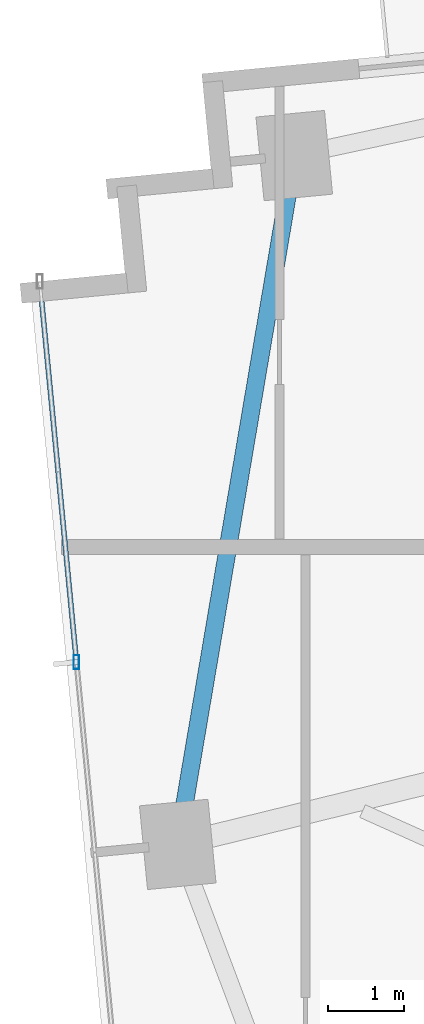
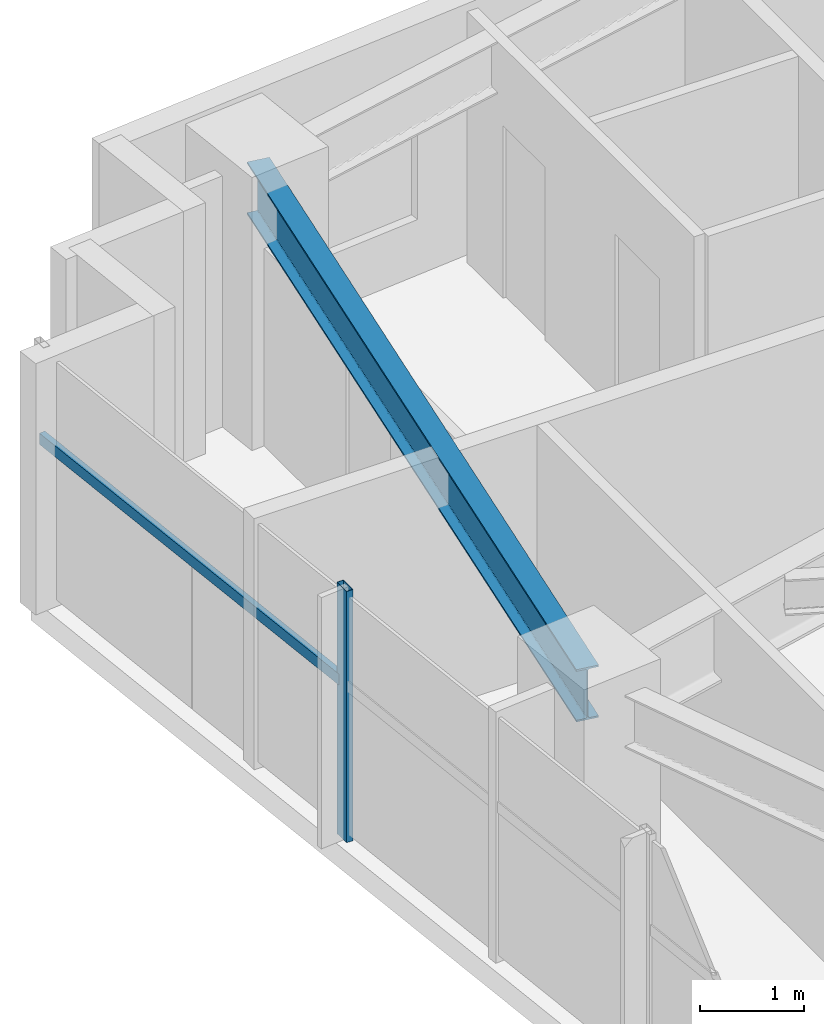
# One storey, part 4 of 27: 2 members, 1 beam, 1 element without a shape of its own.
"""IFC4 building model written with IfcOpenShell, lengths in metres."""

from ifc_helpers import new_model, si_unit, direction, frame, origin, origin_2d, place, context, subcontext, project, spatial, hollow_rectangle, i_section, extrude, source, transform, mapped, material, material_profile, profile_set, type_object, type_shapes, element, aggregate, save


model = new_model("IFC4")

# Units and contexts
model_context = context("Model", 3, precision=1e-05, world=origin(), true_north=direction((0.0, 1.0)))
body_context = subcontext(model_context, "Body", "Model", "MODEL_VIEW")
ifc_project = project(units=[si_unit("LENGTHUNIT", "METRE"), si_unit("AREAUNIT", "SQUARE_METRE"), si_unit("VOLUMEUNIT", "CUBIC_METRE"), si_unit("PLANEANGLEUNIT", "RADIAN"), si_unit("MASSUNIT", "GRAM", prefix="KILO")], contexts=[model_context])

# Site, building, storey
site_placement = place(None, origin())
site = spatial("IfcSite", under=ifc_project, at=site_placement, CompositionType="ELEMENT")
building_placement = place(site_placement, origin())
building = spatial("IfcBuilding", under=site, at=building_placement, Name="Astriad Promenade Condominiums", CompositionType="ELEMENT")
storey_placement = place(building_placement, frame((0.0, 0.0, 90.60009765625)))
storey = spatial("IfcBuildingStorey", under=building, at=storey_placement, Name="L25", CompositionType="ELEMENT", Elevation=90.60009765625)

# Beam
ifc_material_1 = material(Name="Steel ASTM A992 Grade 50", Category="steel")
ifc_material_profile_1 = material_profile(ifc_material_1, i_section(OverallWidth=0.22900390625, OverallDepth=0.612060546875, WebThickness=0.011962890625, FlangeThickness=0.01953125, FilletRadius=0.017822265625, at=origin_2d()), Name="W24X84")
ifc_profile_set_1 = profile_set([ifc_material_profile_1], Name="Steel ASTM A992 Grade 50")
beam_type = type_object("IfcBeamType", Name="STEEL SPANDREL BEAM W24X84", PredefinedType="SPANDREL", material=ifc_profile_set_1)
shared_shape_1 = source(origin(), body_context, "Body", "SweptSolid", [
    extrude(i_section(OverallWidth=0.22900390625, OverallDepth=0.612060546875, WebThickness=0.011962890625, FlangeThickness=0.01953125, FilletRadius=0.017822265625, at=origin_2d()), origin(), (0.0, 0.0, 1.0), 9.055419921875),
])
type_shapes(beam_type, [shared_shape_1])
beam_placement = place(storey_placement, frame((12.2685546875, 22.52880859375, 2.6337890625), z_axis=(-0.166776851291, -0.98599466625, 0.0), x_axis=(0.98599466625, -0.166776851291, 0.0)))
element("IfcBeam", 1, at=beam_placement, inside=storey, type_object=beam_type, Name="Perimeter Spandrel Beam SP-W2-L25", PredefinedType="SPANDREL", context=body_context, shape_type="MappedRepresentation", body=[
    mapped(shared_shape_1, transform((0.0, 0.0, 0.0), scale=1.0)),
])

# Curtain wall, members
ifc_material_2 = material(Name="Anodised aluminium Black Dark Glass Unitised", Category="aluminium")
curtain_wall_type = type_object("IfcCurtainWallType", Name="CW-B2-DARK", PredefinedType="USERDEFINED", material=ifc_material_2)
curtain_wall_placement = place(storey_placement, origin())
curtain_wall = element("IfcCurtainWall", 2, at=curtain_wall_placement, inside=storey, type_object=curtain_wall_type, Name="CW-L25-W", ObjectType="UNITISED_CURTAIN_WALL", PredefinedType="USERDEFINED")
ifc_material_3 = material(Name="Anodised aluminium 6063-T6 Black", Category="aluminium")
ifc_material_profile_2 = material_profile(ifc_material_3, hollow_rectangle(XDim=0.074951171875, YDim=0.18505859375, WallThickness=0.00439453125, at=origin_2d()), Name="ALU-MUL-75X185")
ifc_profile_set_2 = profile_set([ifc_material_profile_2], Name="Anodised aluminium 6063-T6 Black")
member_type_1 = type_object("IfcMemberType", Name="MUL-ALU-MUL-75X185", PredefinedType="MULLION", material=ifc_profile_set_2)
shared_shape_2 = source(origin(), body_context, "Body", "SweptSolid", [
    extrude(hollow_rectangle(XDim=0.074951171875, YDim=0.18505859375, WallThickness=0.00439453125, at=origin_2d()), origin(), (0.0, 0.0, 1.0), 2.93994140625),
])
type_shapes(member_type_1, [shared_shape_2])
member_1_placement = place(storey_placement, frame((9.427001953125, 15.94482421875, 0.0), z_axis=(0.0, 0.0, 1.0), x_axis=(1.0, 0.0, 0.0)))
member_1 = element("IfcMember", 3, at=member_1_placement, type_object=member_type_1, Name="CW-L25-W-MUL-02", PredefinedType="MULLION", context=body_context, shape_type="MappedRepresentation", body=[
    mapped(shared_shape_2, transform((0.0, 0.0, 0.0), scale=1.0)),
])
ifc_material_profile_3 = material_profile(ifc_material_3, hollow_rectangle(XDim=0.06494140625, YDim=0.1298828125, WallThickness=0.00390625, at=origin_2d()), Name="ALU-TRN-65X130")
ifc_profile_set_3 = profile_set([ifc_material_profile_3], Name="Anodised aluminium 6063-T6 Black")
member_type_2 = type_object("IfcMemberType", Name="TRN-ALU-TRN-65X130", PredefinedType="USERDEFINED", material=ifc_profile_set_3)
shared_shape_3 = source(origin(), body_context, "Body", "SweptSolid", [
    extrude(hollow_rectangle(XDim=0.06494140625, YDim=0.1298828125, WallThickness=0.00390625, at=origin_2d()), origin(), (0.0, 0.0, 1.0), 5.0),
])
type_shapes(member_type_2, [shared_shape_3])
member_2_placement = place(storey_placement, frame((9.427001953125, 15.94482421875, 1.82275390625), z_axis=(-0.095848242264, 0.995395958629, 0.0), x_axis=(-0.995395958629, -0.095848242264, 0.0)))
member_2 = element("IfcMember", 4, at=member_2_placement, type_object=member_type_2, Name="CW-L25-W-TRN-02-0", ObjectType="TRANSOM", PredefinedType="USERDEFINED", context=body_context, shape_type="MappedRepresentation", body=[
    mapped(shared_shape_3, transform((0.0, 0.0, 0.0), scale=1.0)),
])
aggregate(curtain_wall, [member_1, member_2])

save(model, "model.ifc")
